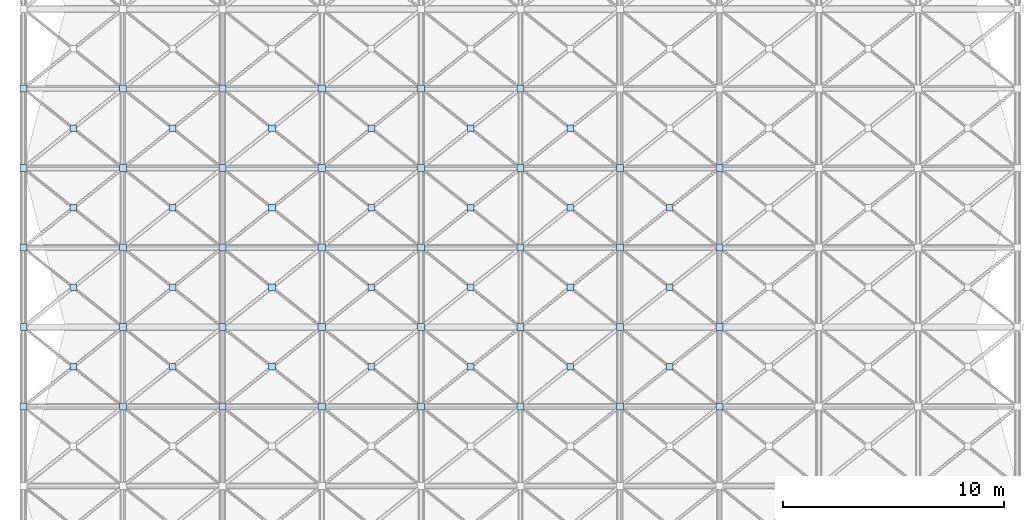
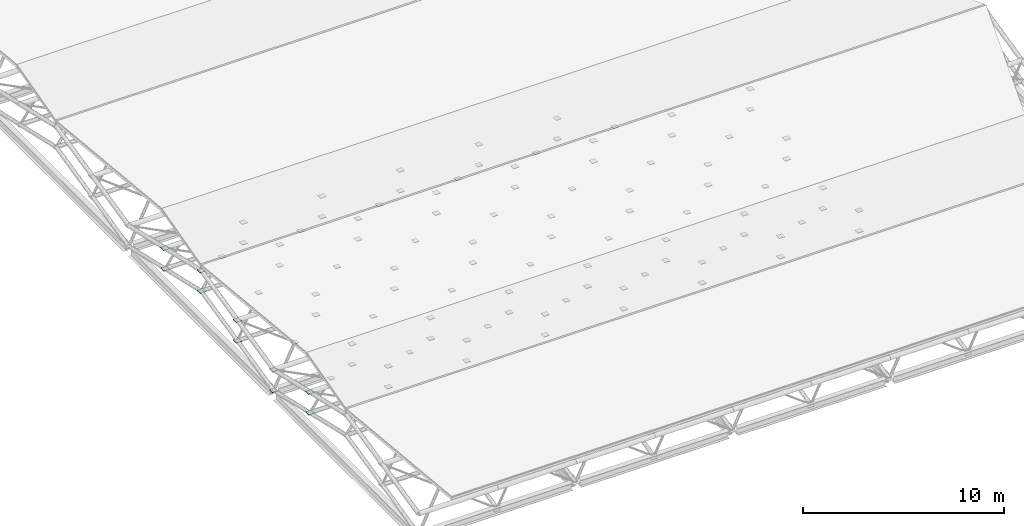
# One storey, part 76 of 110: 103 plates.
"""IFC4 building model written with IfcOpenShell, lengths in metres."""

from ifc_helpers import new_model, si_unit, direction, frame, origin, origin_2d, place, context, subcontext, project, spatial, rectangle, extrude, material, layer, layer_set, type_object, element, save


model = new_model("IFC4")

# Units and contexts
model_context = context("Model", 3, precision=1e-05, world=origin(), true_north=direction((0.0, 1.0)))
body_context = subcontext(model_context, "Body", "Model", "MODEL_VIEW")
ifc_project = project(units=[si_unit("LENGTHUNIT", "METRE"), si_unit("AREAUNIT", "SQUARE_METRE"), si_unit("VOLUMEUNIT", "CUBIC_METRE"), si_unit("PLANEANGLEUNIT", "RADIAN"), si_unit("MASSUNIT", "GRAM", prefix="KILO")], contexts=[model_context])

# Site, building, storey
site_placement = place(None, origin())
site = spatial("IfcSite", under=ifc_project, at=site_placement, CompositionType="ELEMENT")
building_placement = place(site_placement, origin())
building = spatial("IfcBuilding", under=site, at=building_placement, Name="Tamarisk Ironworks Central Station", CompositionType="ELEMENT")
storey_placement = place(building_placement, frame((0.0, 0.0, 17.39990234375)))
storey = spatial("IfcBuildingStorey", under=building, at=storey_placement, Name="L03", CompositionType="ELEMENT", Elevation=17.39990234375)

# Plates
ifc_material = material(Name="Structural steel S355J2H", Category="steel")
ifc_layer = layer(ifc_material, 0.02587890625)
ifc_layer_set = layer_set([ifc_layer], Name="Structural steel S355J2H")
plate_type = type_object("IfcPlateType", Name="PL-ND26", PredefinedType="SHEET", material=ifc_layer_set)
for number, where, z_axis, x_axis, name in (
    (1, (0.0, 32.39990234375, 0.342041015625), (0.0, 0.0, 1.0), (1.0, 0.0, 0.0), "Space-frame collector node plate 0013"),
    (2, (4.5, 32.39990234375, 0.342041015625), (0.0, 0.0, 1.0), (1.0, 0.0, 0.0), "Space-frame collector node plate 0014"),
):
    element("IfcPlate", number, at=place(storey_placement, frame(where, z_axis=z_axis, x_axis=x_axis)), inside=storey, type_object=plate_type, Name=name, PredefinedType="SHEET", context=body_context, shape_type="SweptSolid", body=[
        extrude(rectangle(XDim=0.320068359375, YDim=0.320068359375, at=origin_2d()), origin(), (0.0, 0.0, 1.0), 0.02587890625),
    ])
plate_1_placement = place(storey_placement, frame((2.25, 34.199951171875, -0.6953125), z_axis=(0.0, 0.0, 1.0), x_axis=(1.0, 0.0, 0.0)))
element("IfcPlate", 3, at=plate_1_placement, inside=storey, type_object=plate_type, Name="Space-frame X-brace crossing gusset plate 0015", PredefinedType="SHEET", context=body_context, shape_type="SweptSolid", body=[
    extrude(rectangle(XDim=0.300048828125, YDim=0.300048828125, at=origin_2d()), origin(), (0.0, 0.0, 1.0), 0.02587890625),
])
for number, where, z_axis, x_axis, name in (
    (4, (0.0, 32.39990234375, -0.907958984375), (0.0, 0.0, 1.0), (1.0, 0.0, 0.0), "Space-frame collector node plate 0016"),
    (5, (4.5, 32.39990234375, -0.907958984375), (0.0, 0.0, 1.0), (1.0, 0.0, 0.0), "Space-frame collector node plate 0017"),
    (6, (0.0, 36.0, -0.48291015625), (0.0, 0.0, 1.0), (1.0, 0.0, 0.0), "Space-frame collector node plate 0018"),
    (7, (4.5, 36.0, -0.48291015625), (0.0, 0.0, 1.0), (1.0, 0.0, 0.0), "Space-frame collector node plate 0019"),
    (8, (9.0, 32.39990234375, 0.342041015625), (0.0, 0.0, 1.0), (1.0, 0.0, 0.0), "Space-frame collector node plate 0028"),
):
    element("IfcPlate", number, at=place(storey_placement, frame(where, z_axis=z_axis, x_axis=x_axis)), inside=storey, type_object=plate_type, Name=name, PredefinedType="SHEET", context=body_context, shape_type="SweptSolid", body=[
        extrude(rectangle(XDim=0.320068359375, YDim=0.320068359375, at=origin_2d()), origin(), (0.0, 0.0, 1.0), 0.02587890625),
    ])
plate_2_placement = place(storey_placement, frame((6.75, 34.199951171875, -0.6953125), z_axis=(0.0, 0.0, 1.0), x_axis=(1.0, 0.0, 0.0)))
element("IfcPlate", 9, at=plate_2_placement, inside=storey, type_object=plate_type, Name="Space-frame X-brace crossing gusset plate 0029", PredefinedType="SHEET", context=body_context, shape_type="SweptSolid", body=[
    extrude(rectangle(XDim=0.300048828125, YDim=0.300048828125, at=origin_2d()), origin(), (0.0, 0.0, 1.0), 0.02587890625),
])
for number, where, z_axis, x_axis, name in (
    (10, (9.0, 32.39990234375, -0.907958984375), (0.0, 0.0, 1.0), (1.0, 0.0, 0.0), "Space-frame collector node plate 0030"),
    (11, (9.0, 36.0, -0.48291015625), (0.0, 0.0, 1.0), (1.0, 0.0, 0.0), "Space-frame collector node plate 0031"),
    (12, (13.5, 32.39990234375, 0.342041015625), (0.0, 0.0, 1.0), (1.0, 0.0, 0.0), "Space-frame collector node plate 0039"),
):
    element("IfcPlate", number, at=place(storey_placement, frame(where, z_axis=z_axis, x_axis=x_axis)), inside=storey, type_object=plate_type, Name=name, PredefinedType="SHEET", context=body_context, shape_type="SweptSolid", body=[
        extrude(rectangle(XDim=0.320068359375, YDim=0.320068359375, at=origin_2d()), origin(), (0.0, 0.0, 1.0), 0.02587890625),
    ])
plate_3_placement = place(storey_placement, frame((11.25, 34.199951171875, -0.6953125), z_axis=(0.0, 0.0, 1.0), x_axis=(1.0, 0.0, 0.0)))
element("IfcPlate", 13, at=plate_3_placement, inside=storey, type_object=plate_type, Name="Space-frame X-brace crossing gusset plate 0040", PredefinedType="SHEET", context=body_context, shape_type="SweptSolid", body=[
    extrude(rectangle(XDim=0.300048828125, YDim=0.300048828125, at=origin_2d()), origin(), (0.0, 0.0, 1.0), 0.02587890625),
])
for number, where, z_axis, x_axis, name in (
    (14, (13.5, 32.39990234375, -0.907958984375), (0.0, 0.0, 1.0), (1.0, 0.0, 0.0), "Space-frame collector node plate 0041"),
    (15, (13.5, 36.0, -0.48291015625), (0.0, 0.0, 1.0), (1.0, 0.0, 0.0), "Space-frame collector node plate 0042"),
    (16, (18.0, 32.39990234375, 0.342041015625), (0.0, 0.0, 1.0), (1.0, 0.0, 0.0), "Space-frame collector node plate 0051"),
):
    element("IfcPlate", number, at=place(storey_placement, frame(where, z_axis=z_axis, x_axis=x_axis)), inside=storey, type_object=plate_type, Name=name, PredefinedType="SHEET", context=body_context, shape_type="SweptSolid", body=[
        extrude(rectangle(XDim=0.320068359375, YDim=0.320068359375, at=origin_2d()), origin(), (0.0, 0.0, 1.0), 0.02587890625),
    ])
plate_4_placement = place(storey_placement, frame((15.75, 34.199951171875, -0.6953125), z_axis=(0.0, 0.0, 1.0), x_axis=(1.0, 0.0, 0.0)))
element("IfcPlate", 17, at=plate_4_placement, inside=storey, type_object=plate_type, Name="Space-frame X-brace crossing gusset plate 0052", PredefinedType="SHEET", context=body_context, shape_type="SweptSolid", body=[
    extrude(rectangle(XDim=0.300048828125, YDim=0.300048828125, at=origin_2d()), origin(), (0.0, 0.0, 1.0), 0.02587890625),
])
for number, where, z_axis, x_axis, name in (
    (18, (18.0, 32.39990234375, -0.907958984375), (0.0, 0.0, 1.0), (1.0, 0.0, 0.0), "Space-frame collector node plate 0053"),
    (19, (18.0, 36.0, -0.48291015625), (0.0, 0.0, 1.0), (1.0, 0.0, 0.0), "Space-frame collector node plate 0054"),
    (20, (22.5, 32.39990234375, 0.342041015625), (0.0, 0.0, 1.0), (1.0, 0.0, 0.0), "Space-frame collector node plate 0062"),
):
    element("IfcPlate", number, at=place(storey_placement, frame(where, z_axis=z_axis, x_axis=x_axis)), inside=storey, type_object=plate_type, Name=name, PredefinedType="SHEET", context=body_context, shape_type="SweptSolid", body=[
        extrude(rectangle(XDim=0.320068359375, YDim=0.320068359375, at=origin_2d()), origin(), (0.0, 0.0, 1.0), 0.02587890625),
    ])
plate_5_placement = place(storey_placement, frame((20.25, 34.199951171875, -0.6953125), z_axis=(0.0, 0.0, 1.0), x_axis=(1.0, 0.0, 0.0)))
element("IfcPlate", 21, at=plate_5_placement, inside=storey, type_object=plate_type, Name="Space-frame X-brace crossing gusset plate 0063", PredefinedType="SHEET", context=body_context, shape_type="SweptSolid", body=[
    extrude(rectangle(XDim=0.300048828125, YDim=0.300048828125, at=origin_2d()), origin(), (0.0, 0.0, 1.0), 0.02587890625),
])
for number, where, z_axis, x_axis, name in (
    (22, (22.5, 32.39990234375, -0.907958984375), (0.0, 0.0, 1.0), (1.0, 0.0, 0.0), "Space-frame collector node plate 0064"),
    (23, (22.5, 36.0, -0.48291015625), (0.0, 0.0, 1.0), (1.0, 0.0, 0.0), "Space-frame collector node plate 0065"),
    (24, (27.0, 32.39990234375, 0.342041015625), (0.0, 0.0, 1.0), (1.0, 0.0, 0.0), "Space-frame collector node plate 0074"),
):
    element("IfcPlate", number, at=place(storey_placement, frame(where, z_axis=z_axis, x_axis=x_axis)), inside=storey, type_object=plate_type, Name=name, PredefinedType="SHEET", context=body_context, shape_type="SweptSolid", body=[
        extrude(rectangle(XDim=0.320068359375, YDim=0.320068359375, at=origin_2d()), origin(), (0.0, 0.0, 1.0), 0.02587890625),
    ])
plate_6_placement = place(storey_placement, frame((24.75, 34.199951171875, -0.6953125), z_axis=(0.0, 0.0, 1.0), x_axis=(1.0, 0.0, 0.0)))
element("IfcPlate", 25, at=plate_6_placement, inside=storey, type_object=plate_type, Name="Space-frame X-brace crossing gusset plate 0075", PredefinedType="SHEET", context=body_context, shape_type="SweptSolid", body=[
    extrude(rectangle(XDim=0.300048828125, YDim=0.300048828125, at=origin_2d()), origin(), (0.0, 0.0, 1.0), 0.02587890625),
])
for number, where, z_axis, x_axis, name in (
    (26, (27.0, 32.39990234375, -0.907958984375), (0.0, 0.0, 1.0), (1.0, 0.0, 0.0), "Space-frame collector node plate 0076"),
    (27, (27.0, 36.0, -0.48291015625), (0.0, 0.0, 1.0), (1.0, 0.0, 0.0), "Space-frame collector node plate 0077"),
    (28, (31.5, 32.39990234375, 0.342041015625), (0.0, 0.0, 1.0), (1.0, 0.0, 0.0), "Space-frame collector node plate 0085"),
):
    element("IfcPlate", number, at=place(storey_placement, frame(where, z_axis=z_axis, x_axis=x_axis)), inside=storey, type_object=plate_type, Name=name, PredefinedType="SHEET", context=body_context, shape_type="SweptSolid", body=[
        extrude(rectangle(XDim=0.320068359375, YDim=0.320068359375, at=origin_2d()), origin(), (0.0, 0.0, 1.0), 0.02587890625),
    ])
plate_7_placement = place(storey_placement, frame((29.25, 34.199951171875, -0.6953125), z_axis=(0.0, 0.0, 1.0), x_axis=(1.0, 0.0, 0.0)))
element("IfcPlate", 29, at=plate_7_placement, inside=storey, type_object=plate_type, Name="Space-frame X-brace crossing gusset plate 0086", PredefinedType="SHEET", context=body_context, shape_type="SweptSolid", body=[
    extrude(rectangle(XDim=0.300048828125, YDim=0.300048828125, at=origin_2d()), origin(), (0.0, 0.0, 1.0), 0.02587890625),
])
for number, where, z_axis, x_axis, name in (
    (30, (31.5, 32.39990234375, -0.907958984375), (0.0, 0.0, 1.0), (1.0, 0.0, 0.0), "Space-frame collector node plate 0087"),
    (31, (31.5, 36.0, -0.48291015625), (0.0, 0.0, 1.0), (1.0, 0.0, 0.0), "Space-frame collector node plate 0088"),
):
    element("IfcPlate", number, at=place(storey_placement, frame(where, z_axis=z_axis, x_axis=x_axis)), inside=storey, type_object=plate_type, Name=name, PredefinedType="SHEET", context=body_context, shape_type="SweptSolid", body=[
        extrude(rectangle(XDim=0.320068359375, YDim=0.320068359375, at=origin_2d()), origin(), (0.0, 0.0, 1.0), 0.02587890625),
    ])
plate_8_placement = place(storey_placement, frame((2.25, 37.800048828125, -0.6953125), z_axis=(0.0, 0.0, 1.0), x_axis=(1.0, 0.0, 0.0)))
element("IfcPlate", 32, at=plate_8_placement, inside=storey, type_object=plate_type, Name="Space-frame X-brace crossing gusset plate 0124", PredefinedType="SHEET", context=body_context, shape_type="SweptSolid", body=[
    extrude(rectangle(XDim=0.300048828125, YDim=0.300048828125, at=origin_2d()), origin(), (0.0, 0.0, 1.0), 0.02587890625),
])
for number, where, z_axis, x_axis, name in (
    (33, (0.0, 36.0, -1.73291015625), (0.0, 0.0, 1.0), (1.0, 0.0, 0.0), "Space-frame collector node plate 0125"),
    (34, (4.5, 36.0, -1.73291015625), (0.0, 0.0, 1.0), (1.0, 0.0, 0.0), "Space-frame collector node plate 0126"),
    (35, (0.0, 39.60009765625, 0.342041015625), (0.0, 0.0, 1.0), (1.0, 0.0, 0.0), "Space-frame collector node plate 0127"),
    (36, (4.5, 39.60009765625, 0.342041015625), (0.0, 0.0, 1.0), (1.0, 0.0, 0.0), "Space-frame collector node plate 0128"),
):
    element("IfcPlate", number, at=place(storey_placement, frame(where, z_axis=z_axis, x_axis=x_axis)), inside=storey, type_object=plate_type, Name=name, PredefinedType="SHEET", context=body_context, shape_type="SweptSolid", body=[
        extrude(rectangle(XDim=0.320068359375, YDim=0.320068359375, at=origin_2d()), origin(), (0.0, 0.0, 1.0), 0.02587890625),
    ])
plate_9_placement = place(storey_placement, frame((2.25, 41.39990234375, 0.129638671875), z_axis=(0.0, 0.0, 1.0), x_axis=(1.0, 0.0, 0.0)))
element("IfcPlate", 37, at=plate_9_placement, inside=storey, type_object=plate_type, Name="Space-frame X-brace crossing gusset plate 0129", PredefinedType="SHEET", context=body_context, shape_type="SweptSolid", body=[
    extrude(rectangle(XDim=0.300048828125, YDim=0.300048828125, at=origin_2d()), origin(), (0.0, 0.0, 1.0), 0.02587890625),
])
for number, where, z_axis, x_axis, name in (
    (38, (0.0, 39.60009765625, -0.907958984375), (0.0, 0.0, 1.0), (1.0, 0.0, 0.0), "Space-frame collector node plate 0130"),
    (39, (4.5, 39.60009765625, -0.907958984375), (0.0, 0.0, 1.0), (1.0, 0.0, 0.0), "Space-frame collector node plate 0131"),
    (40, (0.0, 43.199951171875, 1.167236328125), (0.0, 0.0, 1.0), (1.0, 0.0, 0.0), "Space-frame collector node plate 0132"),
    (41, (4.5, 43.199951171875, 1.167236328125), (0.0, 0.0, 1.0), (1.0, 0.0, 0.0), "Space-frame collector node plate 0133"),
):
    element("IfcPlate", number, at=place(storey_placement, frame(where, z_axis=z_axis, x_axis=x_axis)), inside=storey, type_object=plate_type, Name=name, PredefinedType="SHEET", context=body_context, shape_type="SweptSolid", body=[
        extrude(rectangle(XDim=0.320068359375, YDim=0.320068359375, at=origin_2d()), origin(), (0.0, 0.0, 1.0), 0.02587890625),
    ])
plate_10_placement = place(storey_placement, frame((2.25, 45.0, 0.129638671875), z_axis=(0.0, 0.0, 1.0), x_axis=(1.0, 0.0, 0.0)))
element("IfcPlate", 42, at=plate_10_placement, inside=storey, type_object=plate_type, Name="Space-frame X-brace crossing gusset plate 0134", PredefinedType="SHEET", context=body_context, shape_type="SweptSolid", body=[
    extrude(rectangle(XDim=0.300048828125, YDim=0.300048828125, at=origin_2d()), origin(), (0.0, 0.0, 1.0), 0.02587890625),
])
for number, where, z_axis, x_axis, name in (
    (43, (0.0, 43.199951171875, -0.082763671875), (0.0, 0.0, 1.0), (1.0, 0.0, 0.0), "Space-frame collector node plate 0135"),
    (44, (4.5, 43.199951171875, -0.082763671875), (0.0, 0.0, 1.0), (1.0, 0.0, 0.0), "Space-frame collector node plate 0136"),
    (45, (0.0, 46.800048828125, 0.342041015625), (0.0, 0.0, 1.0), (1.0, 0.0, 0.0), "Space-frame collector node plate 0137"),
    (46, (4.5, 46.800048828125, 0.342041015625), (0.0, 0.0, 1.0), (1.0, 0.0, 0.0), "Space-frame collector node plate 0138"),
    (47, (0.0, 46.800048828125, -0.907958984375), (0.0, 0.0, 1.0), (1.0, 0.0, 0.0), "Space-frame collector node plate 0140"),
    (48, (4.5, 46.800048828125, -0.907958984375), (0.0, 0.0, 1.0), (1.0, 0.0, 0.0), "Space-frame collector node plate 0141"),
):
    element("IfcPlate", number, at=place(storey_placement, frame(where, z_axis=z_axis, x_axis=x_axis)), inside=storey, type_object=plate_type, Name=name, PredefinedType="SHEET", context=body_context, shape_type="SweptSolid", body=[
        extrude(rectangle(XDim=0.320068359375, YDim=0.320068359375, at=origin_2d()), origin(), (0.0, 0.0, 1.0), 0.02587890625),
    ])
plate_11_placement = place(storey_placement, frame((6.75, 37.800048828125, -0.6953125), z_axis=(0.0, 0.0, 1.0), x_axis=(1.0, 0.0, 0.0)))
element("IfcPlate", 49, at=plate_11_placement, inside=storey, type_object=plate_type, Name="Space-frame X-brace crossing gusset plate 0144", PredefinedType="SHEET", context=body_context, shape_type="SweptSolid", body=[
    extrude(rectangle(XDim=0.300048828125, YDim=0.300048828125, at=origin_2d()), origin(), (0.0, 0.0, 1.0), 0.02587890625),
])
for number, where, z_axis, x_axis, name in (
    (50, (9.0, 36.0, -1.73291015625), (0.0, 0.0, 1.0), (1.0, 0.0, 0.0), "Space-frame collector node plate 0145"),
    (51, (9.0, 39.60009765625, 0.342041015625), (0.0, 0.0, 1.0), (1.0, 0.0, 0.0), "Space-frame collector node plate 0146"),
):
    element("IfcPlate", number, at=place(storey_placement, frame(where, z_axis=z_axis, x_axis=x_axis)), inside=storey, type_object=plate_type, Name=name, PredefinedType="SHEET", context=body_context, shape_type="SweptSolid", body=[
        extrude(rectangle(XDim=0.320068359375, YDim=0.320068359375, at=origin_2d()), origin(), (0.0, 0.0, 1.0), 0.02587890625),
    ])
plate_12_placement = place(storey_placement, frame((6.75, 41.39990234375, 0.129638671875), z_axis=(0.0, 0.0, 1.0), x_axis=(1.0, 0.0, 0.0)))
element("IfcPlate", 52, at=plate_12_placement, inside=storey, type_object=plate_type, Name="Space-frame X-brace crossing gusset plate 0147", PredefinedType="SHEET", context=body_context, shape_type="SweptSolid", body=[
    extrude(rectangle(XDim=0.300048828125, YDim=0.300048828125, at=origin_2d()), origin(), (0.0, 0.0, 1.0), 0.02587890625),
])
for number, where, z_axis, x_axis, name in (
    (53, (9.0, 39.60009765625, -0.907958984375), (0.0, 0.0, 1.0), (1.0, 0.0, 0.0), "Space-frame collector node plate 0148"),
    (54, (9.0, 43.199951171875, 1.167236328125), (0.0, 0.0, 1.0), (1.0, 0.0, 0.0), "Space-frame collector node plate 0149"),
):
    element("IfcPlate", number, at=place(storey_placement, frame(where, z_axis=z_axis, x_axis=x_axis)), inside=storey, type_object=plate_type, Name=name, PredefinedType="SHEET", context=body_context, shape_type="SweptSolid", body=[
        extrude(rectangle(XDim=0.320068359375, YDim=0.320068359375, at=origin_2d()), origin(), (0.0, 0.0, 1.0), 0.02587890625),
    ])
plate_13_placement = place(storey_placement, frame((6.75, 45.0, 0.129638671875), z_axis=(0.0, 0.0, 1.0), x_axis=(1.0, 0.0, 0.0)))
element("IfcPlate", 55, at=plate_13_placement, inside=storey, type_object=plate_type, Name="Space-frame X-brace crossing gusset plate 0150", PredefinedType="SHEET", context=body_context, shape_type="SweptSolid", body=[
    extrude(rectangle(XDim=0.300048828125, YDim=0.300048828125, at=origin_2d()), origin(), (0.0, 0.0, 1.0), 0.02587890625),
])
for number, where, z_axis, x_axis, name in (
    (56, (9.0, 43.199951171875, -0.082763671875), (0.0, 0.0, 1.0), (1.0, 0.0, 0.0), "Space-frame collector node plate 0151"),
    (57, (9.0, 46.800048828125, 0.342041015625), (0.0, 0.0, 1.0), (1.0, 0.0, 0.0), "Space-frame collector node plate 0152"),
    (58, (9.0, 46.800048828125, -0.907958984375), (0.0, 0.0, 1.0), (1.0, 0.0, 0.0), "Space-frame collector node plate 0154"),
):
    element("IfcPlate", number, at=place(storey_placement, frame(where, z_axis=z_axis, x_axis=x_axis)), inside=storey, type_object=plate_type, Name=name, PredefinedType="SHEET", context=body_context, shape_type="SweptSolid", body=[
        extrude(rectangle(XDim=0.320068359375, YDim=0.320068359375, at=origin_2d()), origin(), (0.0, 0.0, 1.0), 0.02587890625),
    ])
plate_14_placement = place(storey_placement, frame((11.25, 37.800048828125, -0.6953125), z_axis=(0.0, 0.0, 1.0), x_axis=(1.0, 0.0, 0.0)))
element("IfcPlate", 59, at=plate_14_placement, inside=storey, type_object=plate_type, Name="Space-frame X-brace crossing gusset plate 0156", PredefinedType="SHEET", context=body_context, shape_type="SweptSolid", body=[
    extrude(rectangle(XDim=0.300048828125, YDim=0.300048828125, at=origin_2d()), origin(), (0.0, 0.0, 1.0), 0.02587890625),
])
for number, where, z_axis, x_axis, name in (
    (60, (13.5, 36.0, -1.73291015625), (0.0, 0.0, 1.0), (1.0, 0.0, 0.0), "Space-frame collector node plate 0157"),
    (61, (13.5, 39.60009765625, 0.342041015625), (0.0, 0.0, 1.0), (1.0, 0.0, 0.0), "Space-frame collector node plate 0158"),
):
    element("IfcPlate", number, at=place(storey_placement, frame(where, z_axis=z_axis, x_axis=x_axis)), inside=storey, type_object=plate_type, Name=name, PredefinedType="SHEET", context=body_context, shape_type="SweptSolid", body=[
        extrude(rectangle(XDim=0.320068359375, YDim=0.320068359375, at=origin_2d()), origin(), (0.0, 0.0, 1.0), 0.02587890625),
    ])
plate_15_placement = place(storey_placement, frame((11.25, 41.39990234375, 0.129638671875), z_axis=(0.0, 0.0, 1.0), x_axis=(1.0, 0.0, 0.0)))
element("IfcPlate", 62, at=plate_15_placement, inside=storey, type_object=plate_type, Name="Space-frame X-brace crossing gusset plate 0159", PredefinedType="SHEET", context=body_context, shape_type="SweptSolid", body=[
    extrude(rectangle(XDim=0.300048828125, YDim=0.300048828125, at=origin_2d()), origin(), (0.0, 0.0, 1.0), 0.02587890625),
])
for number, where, z_axis, x_axis, name in (
    (63, (13.5, 39.60009765625, -0.907958984375), (0.0, 0.0, 1.0), (1.0, 0.0, 0.0), "Space-frame collector node plate 0160"),
    (64, (13.5, 43.199951171875, 1.167236328125), (0.0, 0.0, 1.0), (1.0, 0.0, 0.0), "Space-frame collector node plate 0161"),
):
    element("IfcPlate", number, at=place(storey_placement, frame(where, z_axis=z_axis, x_axis=x_axis)), inside=storey, type_object=plate_type, Name=name, PredefinedType="SHEET", context=body_context, shape_type="SweptSolid", body=[
        extrude(rectangle(XDim=0.320068359375, YDim=0.320068359375, at=origin_2d()), origin(), (0.0, 0.0, 1.0), 0.02587890625),
    ])
plate_16_placement = place(storey_placement, frame((11.25, 45.0, 0.129638671875), z_axis=(0.0, 0.0, 1.0), x_axis=(1.0, 0.0, 0.0)))
element("IfcPlate", 65, at=plate_16_placement, inside=storey, type_object=plate_type, Name="Space-frame X-brace crossing gusset plate 0162", PredefinedType="SHEET", context=body_context, shape_type="SweptSolid", body=[
    extrude(rectangle(XDim=0.300048828125, YDim=0.300048828125, at=origin_2d()), origin(), (0.0, 0.0, 1.0), 0.02587890625),
])
for number, where, z_axis, x_axis, name in (
    (66, (13.5, 43.199951171875, -0.082763671875), (0.0, 0.0, 1.0), (1.0, 0.0, 0.0), "Space-frame collector node plate 0163"),
    (67, (13.5, 46.800048828125, 0.342041015625), (0.0, 0.0, 1.0), (1.0, 0.0, 0.0), "Space-frame collector node plate 0164"),
    (68, (13.5, 46.800048828125, -0.907958984375), (0.0, 0.0, 1.0), (1.0, 0.0, 0.0), "Space-frame collector node plate 0166"),
):
    element("IfcPlate", number, at=place(storey_placement, frame(where, z_axis=z_axis, x_axis=x_axis)), inside=storey, type_object=plate_type, Name=name, PredefinedType="SHEET", context=body_context, shape_type="SweptSolid", body=[
        extrude(rectangle(XDim=0.320068359375, YDim=0.320068359375, at=origin_2d()), origin(), (0.0, 0.0, 1.0), 0.02587890625),
    ])
plate_17_placement = place(storey_placement, frame((15.75, 37.800048828125, -0.6953125), z_axis=(0.0, 0.0, 1.0), x_axis=(1.0, 0.0, 0.0)))
element("IfcPlate", 69, at=plate_17_placement, inside=storey, type_object=plate_type, Name="Space-frame X-brace crossing gusset plate 0168", PredefinedType="SHEET", context=body_context, shape_type="SweptSolid", body=[
    extrude(rectangle(XDim=0.300048828125, YDim=0.300048828125, at=origin_2d()), origin(), (0.0, 0.0, 1.0), 0.02587890625),
])
for number, where, z_axis, x_axis, name in (
    (70, (18.0, 36.0, -1.73291015625), (0.0, 0.0, 1.0), (1.0, 0.0, 0.0), "Space-frame collector node plate 0169"),
    (71, (18.0, 39.60009765625, 0.342041015625), (0.0, 0.0, 1.0), (1.0, 0.0, 0.0), "Space-frame collector node plate 0170"),
):
    element("IfcPlate", number, at=place(storey_placement, frame(where, z_axis=z_axis, x_axis=x_axis)), inside=storey, type_object=plate_type, Name=name, PredefinedType="SHEET", context=body_context, shape_type="SweptSolid", body=[
        extrude(rectangle(XDim=0.320068359375, YDim=0.320068359375, at=origin_2d()), origin(), (0.0, 0.0, 1.0), 0.02587890625),
    ])
plate_18_placement = place(storey_placement, frame((15.75, 41.39990234375, 0.129638671875), z_axis=(0.0, 0.0, 1.0), x_axis=(1.0, 0.0, 0.0)))
element("IfcPlate", 72, at=plate_18_placement, inside=storey, type_object=plate_type, Name="Space-frame X-brace crossing gusset plate 0171", PredefinedType="SHEET", context=body_context, shape_type="SweptSolid", body=[
    extrude(rectangle(XDim=0.300048828125, YDim=0.300048828125, at=origin_2d()), origin(), (0.0, 0.0, 1.0), 0.02587890625),
])
for number, where, z_axis, x_axis, name in (
    (73, (18.0, 39.60009765625, -0.907958984375), (0.0, 0.0, 1.0), (1.0, 0.0, 0.0), "Space-frame collector node plate 0172"),
    (74, (18.0, 43.199951171875, 1.167236328125), (0.0, 0.0, 1.0), (1.0, 0.0, 0.0), "Space-frame collector node plate 0173"),
):
    element("IfcPlate", number, at=place(storey_placement, frame(where, z_axis=z_axis, x_axis=x_axis)), inside=storey, type_object=plate_type, Name=name, PredefinedType="SHEET", context=body_context, shape_type="SweptSolid", body=[
        extrude(rectangle(XDim=0.320068359375, YDim=0.320068359375, at=origin_2d()), origin(), (0.0, 0.0, 1.0), 0.02587890625),
    ])
plate_19_placement = place(storey_placement, frame((15.75, 45.0, 0.129638671875), z_axis=(0.0, 0.0, 1.0), x_axis=(1.0, 0.0, 0.0)))
element("IfcPlate", 75, at=plate_19_placement, inside=storey, type_object=plate_type, Name="Space-frame X-brace crossing gusset plate 0174", PredefinedType="SHEET", context=body_context, shape_type="SweptSolid", body=[
    extrude(rectangle(XDim=0.300048828125, YDim=0.300048828125, at=origin_2d()), origin(), (0.0, 0.0, 1.0), 0.02587890625),
])
for number, where, z_axis, x_axis, name in (
    (76, (18.0, 43.199951171875, -0.082763671875), (0.0, 0.0, 1.0), (1.0, 0.0, 0.0), "Space-frame collector node plate 0175"),
    (77, (18.0, 46.800048828125, 0.342041015625), (0.0, 0.0, 1.0), (1.0, 0.0, 0.0), "Space-frame collector node plate 0176"),
    (78, (18.0, 46.800048828125, -0.907958984375), (0.0, 0.0, 1.0), (1.0, 0.0, 0.0), "Space-frame collector node plate 0178"),
):
    element("IfcPlate", number, at=place(storey_placement, frame(where, z_axis=z_axis, x_axis=x_axis)), inside=storey, type_object=plate_type, Name=name, PredefinedType="SHEET", context=body_context, shape_type="SweptSolid", body=[
        extrude(rectangle(XDim=0.320068359375, YDim=0.320068359375, at=origin_2d()), origin(), (0.0, 0.0, 1.0), 0.02587890625),
    ])
plate_20_placement = place(storey_placement, frame((20.25, 37.800048828125, -0.6953125), z_axis=(0.0, 0.0, 1.0), x_axis=(1.0, 0.0, 0.0)))
element("IfcPlate", 79, at=plate_20_placement, inside=storey, type_object=plate_type, Name="Space-frame X-brace crossing gusset plate 0180", PredefinedType="SHEET", context=body_context, shape_type="SweptSolid", body=[
    extrude(rectangle(XDim=0.300048828125, YDim=0.300048828125, at=origin_2d()), origin(), (0.0, 0.0, 1.0), 0.02587890625),
])
for number, where, z_axis, x_axis, name in (
    (80, (22.5, 36.0, -1.73291015625), (0.0, 0.0, 1.0), (1.0, 0.0, 0.0), "Space-frame collector node plate 0181"),
    (81, (22.5, 39.60009765625, 0.342041015625), (0.0, 0.0, 1.0), (1.0, 0.0, 0.0), "Space-frame collector node plate 0182"),
):
    element("IfcPlate", number, at=place(storey_placement, frame(where, z_axis=z_axis, x_axis=x_axis)), inside=storey, type_object=plate_type, Name=name, PredefinedType="SHEET", context=body_context, shape_type="SweptSolid", body=[
        extrude(rectangle(XDim=0.320068359375, YDim=0.320068359375, at=origin_2d()), origin(), (0.0, 0.0, 1.0), 0.02587890625),
    ])
plate_21_placement = place(storey_placement, frame((20.25, 41.39990234375, 0.129638671875), z_axis=(0.0, 0.0, 1.0), x_axis=(1.0, 0.0, 0.0)))
element("IfcPlate", 82, at=plate_21_placement, inside=storey, type_object=plate_type, Name="Space-frame X-brace crossing gusset plate 0183", PredefinedType="SHEET", context=body_context, shape_type="SweptSolid", body=[
    extrude(rectangle(XDim=0.300048828125, YDim=0.300048828125, at=origin_2d()), origin(), (0.0, 0.0, 1.0), 0.02587890625),
])
for number, where, z_axis, x_axis, name in (
    (83, (22.5, 39.60009765625, -0.907958984375), (0.0, 0.0, 1.0), (1.0, 0.0, 0.0), "Space-frame collector node plate 0184"),
    (84, (22.5, 43.199951171875, 1.167236328125), (0.0, 0.0, 1.0), (1.0, 0.0, 0.0), "Space-frame collector node plate 0185"),
):
    element("IfcPlate", number, at=place(storey_placement, frame(where, z_axis=z_axis, x_axis=x_axis)), inside=storey, type_object=plate_type, Name=name, PredefinedType="SHEET", context=body_context, shape_type="SweptSolid", body=[
        extrude(rectangle(XDim=0.320068359375, YDim=0.320068359375, at=origin_2d()), origin(), (0.0, 0.0, 1.0), 0.02587890625),
    ])
plate_22_placement = place(storey_placement, frame((20.25, 45.0, 0.129638671875), z_axis=(0.0, 0.0, 1.0), x_axis=(1.0, 0.0, 0.0)))
element("IfcPlate", 85, at=plate_22_placement, inside=storey, type_object=plate_type, Name="Space-frame X-brace crossing gusset plate 0186", PredefinedType="SHEET", context=body_context, shape_type="SweptSolid", body=[
    extrude(rectangle(XDim=0.300048828125, YDim=0.300048828125, at=origin_2d()), origin(), (0.0, 0.0, 1.0), 0.02587890625),
])
for number, where, z_axis, x_axis, name in (
    (86, (22.5, 43.199951171875, -0.082763671875), (0.0, 0.0, 1.0), (1.0, 0.0, 0.0), "Space-frame collector node plate 0187"),
    (87, (22.5, 46.800048828125, 0.342041015625), (0.0, 0.0, 1.0), (1.0, 0.0, 0.0), "Space-frame collector node plate 0188"),
    (88, (22.5, 46.800048828125, -0.907958984375), (0.0, 0.0, 1.0), (1.0, 0.0, 0.0), "Space-frame collector node plate 0190"),
):
    element("IfcPlate", number, at=place(storey_placement, frame(where, z_axis=z_axis, x_axis=x_axis)), inside=storey, type_object=plate_type, Name=name, PredefinedType="SHEET", context=body_context, shape_type="SweptSolid", body=[
        extrude(rectangle(XDim=0.320068359375, YDim=0.320068359375, at=origin_2d()), origin(), (0.0, 0.0, 1.0), 0.02587890625),
    ])
plate_23_placement = place(storey_placement, frame((24.75, 37.800048828125, -0.6953125), z_axis=(0.0, 0.0, 1.0), x_axis=(1.0, 0.0, 0.0)))
element("IfcPlate", 89, at=plate_23_placement, inside=storey, type_object=plate_type, Name="Space-frame X-brace crossing gusset plate 0192", PredefinedType="SHEET", context=body_context, shape_type="SweptSolid", body=[
    extrude(rectangle(XDim=0.300048828125, YDim=0.300048828125, at=origin_2d()), origin(), (0.0, 0.0, 1.0), 0.02587890625),
])
for number, where, z_axis, x_axis, name in (
    (90, (27.0, 36.0, -1.73291015625), (0.0, 0.0, 1.0), (1.0, 0.0, 0.0), "Space-frame collector node plate 0193"),
    (91, (27.0, 39.60009765625, 0.342041015625), (0.0, 0.0, 1.0), (1.0, 0.0, 0.0), "Space-frame collector node plate 0194"),
):
    element("IfcPlate", number, at=place(storey_placement, frame(where, z_axis=z_axis, x_axis=x_axis)), inside=storey, type_object=plate_type, Name=name, PredefinedType="SHEET", context=body_context, shape_type="SweptSolid", body=[
        extrude(rectangle(XDim=0.320068359375, YDim=0.320068359375, at=origin_2d()), origin(), (0.0, 0.0, 1.0), 0.02587890625),
    ])
plate_24_placement = place(storey_placement, frame((24.75, 41.39990234375, 0.129638671875), z_axis=(0.0, 0.0, 1.0), x_axis=(1.0, 0.0, 0.0)))
element("IfcPlate", 92, at=plate_24_placement, inside=storey, type_object=plate_type, Name="Space-frame X-brace crossing gusset plate 0195", PredefinedType="SHEET", context=body_context, shape_type="SweptSolid", body=[
    extrude(rectangle(XDim=0.300048828125, YDim=0.300048828125, at=origin_2d()), origin(), (0.0, 0.0, 1.0), 0.02587890625),
])
for number, where, z_axis, x_axis, name in (
    (93, (27.0, 39.60009765625, -0.907958984375), (0.0, 0.0, 1.0), (1.0, 0.0, 0.0), "Space-frame collector node plate 0196"),
    (94, (27.0, 43.199951171875, 1.167236328125), (0.0, 0.0, 1.0), (1.0, 0.0, 0.0), "Space-frame collector node plate 0197"),
):
    element("IfcPlate", number, at=place(storey_placement, frame(where, z_axis=z_axis, x_axis=x_axis)), inside=storey, type_object=plate_type, Name=name, PredefinedType="SHEET", context=body_context, shape_type="SweptSolid", body=[
        extrude(rectangle(XDim=0.320068359375, YDim=0.320068359375, at=origin_2d()), origin(), (0.0, 0.0, 1.0), 0.02587890625),
    ])
plate_25_placement = place(storey_placement, frame((24.75, 45.0, 0.129638671875), z_axis=(0.0, 0.0, 1.0), x_axis=(1.0, 0.0, 0.0)))
element("IfcPlate", 95, at=plate_25_placement, inside=storey, type_object=plate_type, Name="Space-frame X-brace crossing gusset plate 0198", PredefinedType="SHEET", context=body_context, shape_type="SweptSolid", body=[
    extrude(rectangle(XDim=0.300048828125, YDim=0.300048828125, at=origin_2d()), origin(), (0.0, 0.0, 1.0), 0.02587890625),
])
plate_26_placement = place(storey_placement, frame((27.0, 43.199951171875, -0.082763671875), z_axis=(0.0, 0.0, 1.0), x_axis=(1.0, 0.0, 0.0)))
element("IfcPlate", 96, at=plate_26_placement, inside=storey, type_object=plate_type, Name="Space-frame collector node plate 0199", PredefinedType="SHEET", context=body_context, shape_type="SweptSolid", body=[
    extrude(rectangle(XDim=0.320068359375, YDim=0.320068359375, at=origin_2d()), origin(), (0.0, 0.0, 1.0), 0.02587890625),
])
plate_27_placement = place(storey_placement, frame((29.25, 37.800048828125, -0.6953125), z_axis=(0.0, 0.0, 1.0), x_axis=(1.0, 0.0, 0.0)))
element("IfcPlate", 97, at=plate_27_placement, inside=storey, type_object=plate_type, Name="Space-frame X-brace crossing gusset plate 0204", PredefinedType="SHEET", context=body_context, shape_type="SweptSolid", body=[
    extrude(rectangle(XDim=0.300048828125, YDim=0.300048828125, at=origin_2d()), origin(), (0.0, 0.0, 1.0), 0.02587890625),
])
for number, where, z_axis, x_axis, name in (
    (98, (31.5, 36.0, -1.73291015625), (0.0, 0.0, 1.0), (1.0, 0.0, 0.0), "Space-frame collector node plate 0205"),
    (99, (31.5, 39.60009765625, 0.342041015625), (0.0, 0.0, 1.0), (1.0, 0.0, 0.0), "Space-frame collector node plate 0206"),
):
    element("IfcPlate", number, at=place(storey_placement, frame(where, z_axis=z_axis, x_axis=x_axis)), inside=storey, type_object=plate_type, Name=name, PredefinedType="SHEET", context=body_context, shape_type="SweptSolid", body=[
        extrude(rectangle(XDim=0.320068359375, YDim=0.320068359375, at=origin_2d()), origin(), (0.0, 0.0, 1.0), 0.02587890625),
    ])
plate_28_placement = place(storey_placement, frame((29.25, 41.39990234375, 0.129638671875), z_axis=(0.0, 0.0, 1.0), x_axis=(1.0, 0.0, 0.0)))
element("IfcPlate", 100, at=plate_28_placement, inside=storey, type_object=plate_type, Name="Space-frame X-brace crossing gusset plate 0207", PredefinedType="SHEET", context=body_context, shape_type="SweptSolid", body=[
    extrude(rectangle(XDim=0.300048828125, YDim=0.300048828125, at=origin_2d()), origin(), (0.0, 0.0, 1.0), 0.02587890625),
])
for number, where, z_axis, x_axis, name in (
    (101, (31.5, 39.60009765625, -0.907958984375), (0.0, 0.0, 1.0), (1.0, 0.0, 0.0), "Space-frame collector node plate 0208"),
    (102, (31.5, 43.199951171875, 1.167236328125), (0.0, 0.0, 1.0), (1.0, 0.0, 0.0), "Space-frame collector node plate 0209"),
    (103, (31.5, 43.199951171875, -0.082763671875), (0.0, 0.0, 1.0), (1.0, 0.0, 0.0), "Space-frame collector node plate 0211"),
):
    element("IfcPlate", number, at=place(storey_placement, frame(where, z_axis=z_axis, x_axis=x_axis)), inside=storey, type_object=plate_type, Name=name, PredefinedType="SHEET", context=body_context, shape_type="SweptSolid", body=[
        extrude(rectangle(XDim=0.320068359375, YDim=0.320068359375, at=origin_2d()), origin(), (0.0, 0.0, 1.0), 0.02587890625),
    ])

save(model, "model.ifc")
